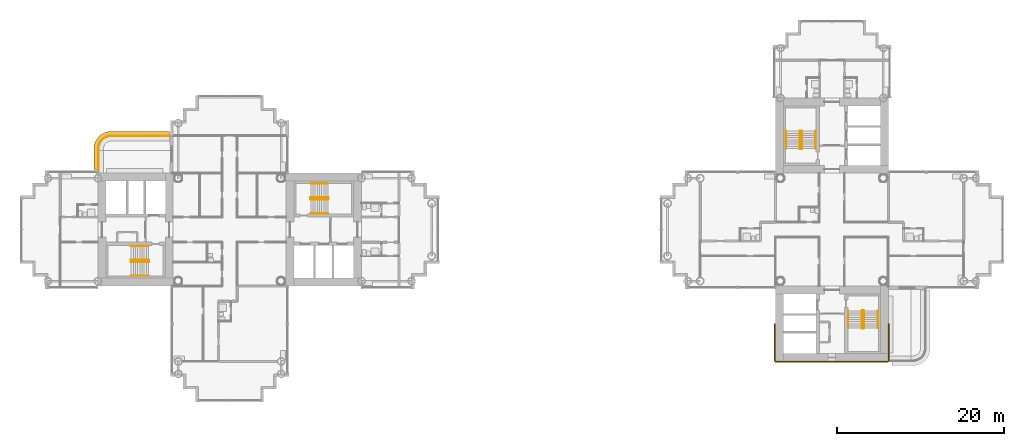
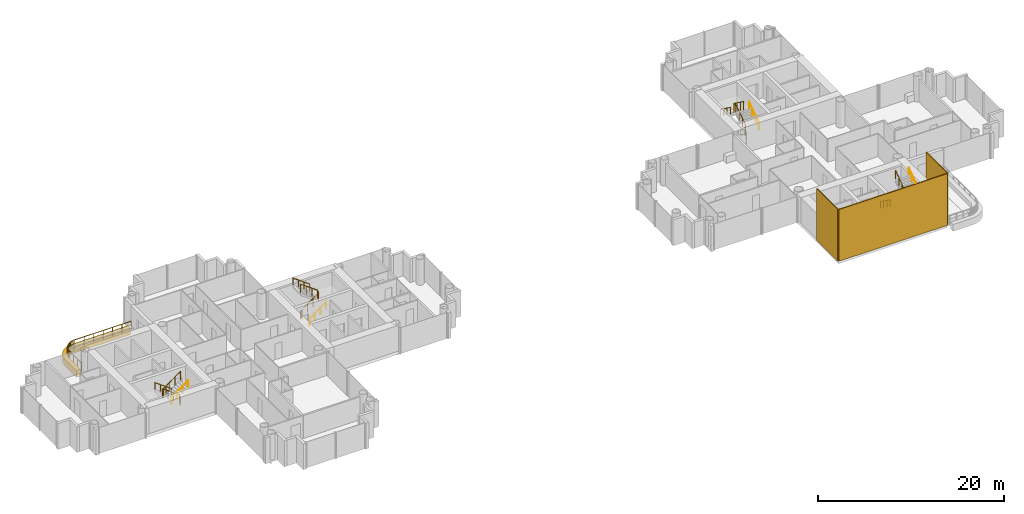
# One storey, part 19 of 21: 13 railings, 4 coverings.
"""IFC4 building model written with IfcOpenShell, lengths in metres."""

import ifcopenshell
import ifcopenshell.guid

model = None  # the IFC model being written
_history = None  # IfcOwnerHistory: only IFC2X3 demands one
_inside = {}  # id of a spatial element -> (the spatial element, [elements in it])
_under = {}  # id of a project, library or spatial element -> (it, [spatial elements below it])
_declared = {}  # id of a project -> (the project, [libraries it declares])
_typed = {}  # id of a type object -> (the type object, [elements of that type])
_made_of = {}  # id of a material, layer set ... -> (it, [elements and type objects made of it])


def new_model(schema):
    """Start an empty IFC model of exactly this schema.

    Asked for "IFC4X3", IfcOpenShell would pick the latest addendum, in which some entities
    have other attributes; the version numbers below select the first issue.
    IFC2X3 requires an IfcOwnerHistory on every rooted entity: one is made here for all.
    """
    global model, _history
    if schema == "IFC4X3":
        model = ifcopenshell.file(schema_version=(4, 3, 0, 0))
    else:
        model = ifcopenshell.file(schema=schema)
    _inside.clear()
    _under.clear()
    _declared.clear()
    _typed.clear()
    _made_of.clear()
    _history = None
    if model.schema == "IFC2X3":
        org = make("IfcOrganization", Name="unknown")
        user = make(
            "IfcPersonAndOrganization",
            ThePerson=make("IfcPerson", FamilyName="unknown"),
            TheOrganization=org,
        )
        app = make(
            "IfcApplication",
            ApplicationDeveloper=org,
            Version="unknown",
            ApplicationFullName="unknown",
            ApplicationIdentifier="unknown",
        )
        _history = make(
            "IfcOwnerHistory",
            OwningUser=user,
            OwningApplication=app,
            ChangeAction="ADDED",
            CreationDate=0,
        )
    return model


def make(cls, **values):
    """One entity of the class cls with the attributes given. An attribute that is None is left unset."""
    return model.create_entity(
        cls, **{name: value for name, value in values.items() if value is not None}
    )


def rooted(cls, **values):
    """An entity with a GlobalId (a new one), such as an element, a storey or a relation."""
    return make(cls, GlobalId=ifcopenshell.guid.new(), OwnerHistory=_history, **values)


def si_unit(unit_type, name, prefix=None):
    """IfcSIUnit, for example si_unit("LENGTHUNIT", "METRE", prefix="MILLI")."""
    return make("IfcSIUnit", UnitType=unit_type, Prefix=prefix, Name=name)


def assignment(units):
    """IfcUnitAssignment: the units of a project."""
    return None if units is None else make("IfcUnitAssignment", Units=units)


def point(xyz):
    """IfcCartesianPoint."""
    return None if xyz is None else make("IfcCartesianPoint", Coordinates=xyz)


def direction(xyz):
    """IfcDirection."""
    return None if xyz is None else make("IfcDirection", DirectionRatios=xyz)


def frame(location, z_axis=None, x_axis=None):
    """IfcAxis2Placement3D, a coordinate frame: its origin and axes. An axis left out is left unset."""
    return make(
        "IfcAxis2Placement3D",
        Location=point(location),
        Axis=direction(z_axis),
        RefDirection=direction(x_axis),
    )


def frame_2d(location, x_axis=None):
    """IfcAxis2Placement2D, a coordinate frame in the plane: its origin and x axis."""
    return make(
        "IfcAxis2Placement2D", Location=point(location), RefDirection=direction(x_axis)
    )


def origin():
    """The frame at (0, 0, 0) with its axes left unset."""
    return frame((0.0, 0.0, 0.0))


def origin_2d():
    """The frame at (0, 0) in the plane with its x axis left unset."""
    return frame_2d((0.0, 0.0))


def place(relative_to, where):
    """IfcLocalPlacement: puts the frame where relative to a parent placement (None: the world)."""
    return make(
        "IfcLocalPlacement", PlacementRelTo=relative_to, RelativePlacement=where
    )


def context(
    kind, dimensions, precision=None, world=None, true_north=None, identifier=None
):
    """IfcGeometricRepresentationContext, for example the 3D "Model" context."""
    return make(
        "IfcGeometricRepresentationContext",
        ContextIdentifier=identifier,
        ContextType=kind,
        CoordinateSpaceDimension=dimensions,
        Precision=precision,
        WorldCoordinateSystem=world,
        TrueNorth=true_north,
    )


def subcontext(parent, identifier, kind, view, scale=None):
    """IfcGeometricRepresentationSubContext, for example "Body" below "Model"."""
    return make(
        "IfcGeometricRepresentationSubContext",
        ContextIdentifier=identifier,
        ContextType=kind,
        ParentContext=parent,
        TargetScale=scale,
        TargetView=view,
    )


def project(units=None, contexts=None):
    """IfcProject with its units and contexts."""
    return rooted(
        "IfcProject",
        Name="project",
        RepresentationContexts=contexts,
        UnitsInContext=assignment(units),
    )


def spatial(cls, under=None, at=None, **own):
    """A site, building, storey or space (cls), placed at a placement, below another one or the project."""
    s = rooted(cls, ObjectPlacement=at, **own)
    if under is not None:
        _under.setdefault(under.id(), (under, []))[1].append(s)
    return s


def polyline(points):
    """IfcPolyline through the points."""
    return make("IfcPolyline", Points=[point(p) for p in points])


def profile(cls, at=None, kind="AREA", **sizes):
    """A parametric profile (cls). Its sizes go by their IFC names, for example OverallWidth=200.0."""
    return make(cls, ProfileType=kind, Position=at, **sizes)


def rectangle(**sizes):
    """IfcRectangleProfileDef."""
    return profile("IfcRectangleProfileDef", **sizes)


def circle(**sizes):
    """IfcCircleProfileDef."""
    return profile("IfcCircleProfileDef", **sizes)


def outline(outer, holes=None, kind="AREA"):
    """IfcArbitraryClosedProfileDef: a profile drawn as a closed curve; with holes, ...WithVoids."""
    if holes is None:
        return make("IfcArbitraryClosedProfileDef", ProfileType=kind, OuterCurve=outer)
    return make(
        "IfcArbitraryProfileDefWithVoids",
        ProfileType=kind,
        OuterCurve=outer,
        InnerCurves=holes,
    )


def extrude(swept, where, along, depth):
    """IfcExtrudedAreaSolid: the profile swept, set in the frame where, extruded along a direction by depth."""
    return make(
        "IfcExtrudedAreaSolid",
        SweptArea=swept,
        Position=where,
        ExtrudedDirection=direction(along),
        Depth=depth,
    )


def shape(context_of_items, identifier, shape_type, items):
    """IfcShapeRepresentation: the items that make up one representation, for example the "Body"."""
    return make(
        "IfcShapeRepresentation",
        ContextOfItems=context_of_items,
        RepresentationIdentifier=identifier,
        RepresentationType=shape_type,
        Items=items,
    )


def material(Name=None, Category=None):
    """IfcMaterial."""
    return make("IfcMaterial", Name=Name, Category=Category)


def layer(
    of_material, thickness, ventilated=None, Name=None, Category=None, Priority=None
):
    """IfcMaterialLayer: one layer of a wall or slab, of a material (None: an air gap)."""
    return make(
        "IfcMaterialLayer",
        Material=of_material,
        LayerThickness=thickness,
        IsVentilated=ventilated,
        Name=Name,
        Category=Category,
        Priority=Priority,
    )


def layer_set(layers, Name=None):
    """IfcMaterialLayerSet."""
    return make("IfcMaterialLayerSet", MaterialLayers=layers, LayerSetName=Name)


def made_of(thing, what):
    """Note that an element or type object is made of a material, layer set ...; save() writes the relation."""
    if what is not None:
        _made_of.setdefault(what.id(), (what, []))[1].append(thing)
    return thing


def type_object(cls, material=None, **own):
    """A type object (cls), such as IfcWallType, which elements share."""
    return made_of(rooted(cls, **own), material)


def element(
    cls,
    number,
    at=None,
    inside=None,
    cuts=None,
    type_object=None,
    material=None,
    context=None,
    identifier="Body",
    shape_type=None,
    held_by="IfcProductDefinitionShape",
    body=None,
    shapes=None,
    **own,
):
    """One element of the class cls, such as IfcWall. Its Tag is "e" and its number.

    at: its placement. inside: the storey or other place that contains it. cuts: it is an
    opening in that element (IfcRelVoidsElement). A single representation is given by context,
    identifier, shape_type and body (its items); several are given by shapes. held_by: the class
    of the entity that holds the representations. save() writes the other relations.
    """
    e = rooted(cls, Tag="e%d" % number, ObjectPlacement=at, **own)
    if body is not None:
        shapes = [shape(context, identifier, shape_type, body)]
    if shapes is not None:
        e.Representation = make(held_by, Representations=shapes)
    if inside is not None:
        _inside.setdefault(inside.id(), (inside, []))[1].append(e)
    if cuts is not None:
        rooted(
            "IfcRelVoidsElement", RelatingBuildingElement=cuts, RelatedOpeningElement=e
        )
    if type_object is not None:
        _typed.setdefault(type_object.id(), (type_object, []))[1].append(e)
    return made_of(e, material)


def aggregate(whole, parts):
    """IfcRelAggregates: a whole, such as a stair, and the parts it consists of."""
    return rooted("IfcRelAggregates", RelatingObject=whole, RelatedObjects=parts)


def save(model, path):
    """Write the relations noted so far, then the file.

    IfcRelAggregates (storeys below a building ...), IfcRelContainedInSpatialStructure (elements
    in a storey), IfcRelDefinesByType, IfcRelAssociatesMaterial and IfcRelDeclares: one each for
    every whole, place, type object, material and project.
    """
    for whole, parts in _under.values():
        aggregate(whole, parts)
    for where, things in _inside.values():
        rooted(
            "IfcRelContainedInSpatialStructure",
            RelatedElements=things,
            RelatingStructure=where,
        )
    for kind, things in _typed.values():
        rooted("IfcRelDefinesByType", RelatedObjects=things, RelatingType=kind)
    for what, things in _made_of.values():
        rooted("IfcRelAssociatesMaterial", RelatedObjects=things, RelatingMaterial=what)
    for by, libraries in _declared.values():
        rooted("IfcRelDeclares", RelatingContext=by, RelatedDefinitions=libraries)
    model.write(path)


model = new_model("IFC4")

# Units and contexts
model_context = context("Model", 3, precision=1e-05, world=origin(), true_north=direction((0.0, 1.0)))
body_context = subcontext(model_context, "Body", "Model", "MODEL_VIEW")
ifc_project = project(units=[si_unit("LENGTHUNIT", "METRE"), si_unit("AREAUNIT", "SQUARE_METRE"), si_unit("VOLUMEUNIT", "CUBIC_METRE"), si_unit("PLANEANGLEUNIT", "RADIAN"), si_unit("MASSUNIT", "GRAM", prefix="KILO")], contexts=[model_context])

# Site, building, storey
site_placement = place(None, origin())
site = spatial("IfcSite", under=ifc_project, at=site_placement, CompositionType="ELEMENT")
building_placement = place(site_placement, origin())
building = spatial("IfcBuilding", under=site, at=building_placement, Name="Ipe Terrace Towers", CompositionType="ELEMENT")
storey_placement = place(building_placement, frame((0.0, 0.0, 117.39990234375)))
storey = spatial("IfcBuildingStorey", under=building, at=storey_placement, Name="L32", CompositionType="ELEMENT", Elevation=117.39990234375)

# Railing
ifc_material_1 = material(Name="Stainless steel S316", Category="steel")
railing_type_1 = type_object("IfcRailingType", Name="GUARD 1100", PredefinedType="BALUSTRADE", material=ifc_material_1)
railing_1_placement = place(storey_placement, frame((-43.070068359375, 11.199951171875, -0.02001953125)))
element("IfcRailing", 1, at=railing_1_placement, inside=storey, type_object=railing_type_1, Name="guard", PredefinedType="BALUSTRADE", context=body_context, shape_type="SweptSolid", body=[
    extrude(circle(Radius=0.02392578125, at=origin_2d()), frame((0.0, 0.0, 1.076171875), z_axis=(-1.0, 0.0, 0.0), x_axis=(0.0, -1.0, 0.0)), (0.0, 0.0, 1.0), 7.077880859375),
    extrude(circle(Radius=0.02392578125, at=origin_2d()), frame((-7.077880859375, 0.0, 1.076171875), z_axis=(-0.997996439513, -0.063270109204, 0.0), x_axis=(0.063270109204, -0.997996439513, 0.0)), (0.0, 0.0, 1.0), 0.20458984375),
    extrude(circle(Radius=0.02392578125, at=origin_2d()), frame((-7.281982421875, -0.012939453125, 1.076171875), z_axis=(-0.980348670139, -0.197272615832, 0.0), x_axis=(0.197272615832, -0.980348670139, 0.0)), (0.0, 0.0, 1.0), 0.202880859375),
    extrude(circle(Radius=0.02392578125, at=origin_2d()), frame((-7.48095703125, -0.052978515625, 1.076171875), z_axis=(-0.947227229435, -0.320562904618, 0.0), x_axis=(0.320562904618, -0.947227229435, 0.0)), (0.0, 0.0, 1.0), 0.20263671875),
    extrude(circle(Radius=0.02392578125, at=origin_2d()), frame((-7.6728515625, -0.117919921875, 1.076171875), z_axis=(-0.896341374877, -0.443364567466, 0.0), x_axis=(0.443364567466, -0.896341374877, 0.0)), (0.0, 0.0, 1.0), 0.203125),
    extrude(circle(Radius=0.02392578125, at=origin_2d()), frame((-7.85498046875, -0.2080078125, 1.076171875), z_axis=(-0.833344910936, -0.552753344103, 0.0), x_axis=(0.552753344103, -0.833344910936, 0.0)), (0.0, 0.0, 1.0), 0.20263671875),
    extrude(circle(Radius=0.02392578125, at=origin_2d()), frame((-8.02392578125, -0.320068359375, 1.076171875), z_axis=(-0.750856952854, -0.660464863827, 0.0), x_axis=(0.660464863827, -0.750856952854, 0.0)), (0.0, 0.0, 1.0), 0.20263671875),
    extrude(circle(Radius=0.02392578125, at=origin_2d()), frame((-8.176025390625, -0.453857421875, 1.076171875), z_axis=(-0.660464863827, -0.750856952854, 0.0), x_axis=(0.750856952854, -0.660464863827, 0.0)), (0.0, 0.0, 1.0), 0.20263671875),
    extrude(circle(Radius=0.02392578125, at=origin_2d()), frame((-8.309814453125, -0.60595703125, 1.076171875), z_axis=(-0.552753344103, -0.833344910936, 0.0), x_axis=(0.833344910936, -0.552753344103, 0.0)), (0.0, 0.0, 1.0), 0.20263671875),
    extrude(circle(Radius=0.02392578125, at=origin_2d()), frame((-8.421875, -0.77490234375, 1.076171875), z_axis=(-0.443364567466, -0.896341374877, 0.0), x_axis=(0.896341374877, -0.443364567466, 0.0)), (0.0, 0.0, 1.0), 0.203125),
    extrude(circle(Radius=0.02392578125, at=origin_2d()), frame((-8.511962890625, -0.95703125, 1.076171875), z_axis=(-0.320562904618, -0.947227229435, 0.0), x_axis=(0.947227229435, -0.320562904618, 0.0)), (0.0, 0.0, 1.0), 0.20263671875),
    extrude(circle(Radius=0.02392578125, at=origin_2d()), frame((-8.576904296875, -1.14892578125, 1.076171875), z_axis=(-0.197272615832, -0.980348670139, 0.0), x_axis=(0.980348670139, -0.197272615832, 0.0)), (0.0, 0.0, 1.0), 0.202880859375),
    extrude(circle(Radius=0.02392578125, at=origin_2d()), frame((-8.616943359375, -1.347900390625, 1.076171875), z_axis=(-0.063270109204, -0.997996439513, 0.0), x_axis=(0.997996439513, -0.063270109204, 0.0)), (0.0, 0.0, 1.0), 0.20458984375),
    extrude(circle(Radius=0.02392578125, at=origin_2d()), frame((-8.6298828125, -1.552001953125, 1.076171875), z_axis=(0.0, -1.0, 0.0), x_axis=(1.0, 0.0, 0.0)), (0.0, 0.0, 1.0), 2.577880859375),
    extrude(circle(Radius=0.02099609375, at=origin_2d()), origin(), (0.0, 0.0, 1.0), 1.052001953125),
    extrude(circle(Radius=0.02099609375, at=origin_2d()), frame((-1.1796875, 0.0, 0.0)), (0.0, 0.0, 1.0), 1.052001953125),
    extrude(circle(Radius=0.02099609375, at=origin_2d()), frame((-2.359375, 0.0, 0.0)), (0.0, 0.0, 1.0), 1.052001953125),
    extrude(circle(Radius=0.02099609375, at=origin_2d()), frame((-3.5390625, 0.0, 0.0)), (0.0, 0.0, 1.0), 1.052001953125),
    extrude(circle(Radius=0.02099609375, at=origin_2d()), frame((-4.718505859375, 0.0, 0.0)), (0.0, 0.0, 1.0), 1.052001953125),
    extrude(circle(Radius=0.02099609375, at=origin_2d()), frame((-5.898193359375, 0.0, 0.0)), (0.0, 0.0, 1.0), 1.052001953125),
    extrude(circle(Radius=0.02099609375, at=origin_2d()), frame((-7.077880859375, 0.0, 0.0)), (0.0, 0.0, 1.0), 1.052001953125),
    extrude(circle(Radius=0.02099609375, at=origin_2d()), frame((-7.281982421875, -0.012939453125, 0.0)), (0.0, 0.0, 1.0), 1.052001953125),
    extrude(circle(Radius=0.02099609375, at=origin_2d()), frame((-7.48095703125, -0.052978515625, 0.0)), (0.0, 0.0, 1.0), 1.052001953125),
    extrude(circle(Radius=0.02099609375, at=origin_2d()), frame((-7.6728515625, -0.117919921875, 0.0)), (0.0, 0.0, 1.0), 1.052001953125),
    extrude(circle(Radius=0.02099609375, at=origin_2d()), frame((-7.85498046875, -0.2080078125, 0.0)), (0.0, 0.0, 1.0), 1.052001953125),
    extrude(circle(Radius=0.02099609375, at=origin_2d()), frame((-8.02392578125, -0.320068359375, 0.0)), (0.0, 0.0, 1.0), 1.052001953125),
    extrude(circle(Radius=0.02099609375, at=origin_2d()), frame((-8.176025390625, -0.453857421875, 0.0)), (0.0, 0.0, 1.0), 1.052001953125),
    extrude(circle(Radius=0.02099609375, at=origin_2d()), frame((-8.309814453125, -0.60595703125, 0.0)), (0.0, 0.0, 1.0), 1.052001953125),
    extrude(circle(Radius=0.02099609375, at=origin_2d()), frame((-8.421875, -0.77490234375, 0.0)), (0.0, 0.0, 1.0), 1.052001953125),
    extrude(circle(Radius=0.02099609375, at=origin_2d()), frame((-8.511962890625, -0.95703125, 0.0)), (0.0, 0.0, 1.0), 1.052001953125),
    extrude(circle(Radius=0.02099609375, at=origin_2d()), frame((-8.576904296875, -1.14892578125, 0.0)), (0.0, 0.0, 1.0), 1.052001953125),
    extrude(circle(Radius=0.02099609375, at=origin_2d()), frame((-8.616943359375, -1.347900390625, 0.0)), (0.0, 0.0, 1.0), 1.052001953125),
    extrude(circle(Radius=0.02099609375, at=origin_2d()), frame((-8.6298828125, -1.552001953125, 0.0)), (0.0, 0.0, 1.0), 1.052001953125),
    extrude(circle(Radius=0.02099609375, at=origin_2d()), frame((-8.6298828125, -2.411376953125, 0.0)), (0.0, 0.0, 1.0), 1.052001953125),
    extrude(circle(Radius=0.02099609375, at=origin_2d()), frame((-8.6298828125, -3.2705078125, 0.0)), (0.0, 0.0, 1.0), 1.052001953125),
    extrude(circle(Radius=0.02099609375, at=origin_2d()), frame((-8.6298828125, -4.1298828125, 0.0)), (0.0, 0.0, 1.0), 1.052001953125),
])

# Coverings
ifc_material_2 = material(Name="Concrete C50/60 precast, buff finish", Category="concrete")
ifc_layer_1 = layer(ifc_material_2, 0.1201171875)
ifc_layer_set_1 = layer_set([ifc_layer_1], Name="STONE CORE CLADDING 120")
covering_type_1 = type_object("IfcCoveringType", Name="STONE CORE CLADDING 120", PredefinedType="CLADDING", material=ifc_layer_set_1)
covering_1_placement = place(storey_placement, frame((36.0, -15.81005859375, 0.0), z_axis=(0.0, 0.0, 1.0), x_axis=(1.0, 0.0, 0.0)))
element("IfcCovering", 2, at=covering_1_placement, inside=storey, type_object=covering_type_1, Name="stone core cladding", PredefinedType="CLADDING", context=body_context, shape_type="SweptSolid", body=[
    extrude(rectangle(XDim=13.5, YDim=0.1201171875, at=origin_2d()), origin(), (0.0, 0.0, 1.0), 6.800048828125),
])
for number, where, z_axis, x_axis, name in (
    (3, (29.18994140625, -13.5, 0.0), (0.0, 0.0, 1.0), (0.0, -1.0, 0.0), "stone core cladding"),
    (4, (42.81005859375, -13.5, 0.0), (0.0, 0.0, 1.0), (0.0, 1.0, 0.0), "stone core cladding"),
):
    element("IfcCovering", number, at=place(storey_placement, frame(where, z_axis=z_axis, x_axis=x_axis)), inside=storey, type_object=covering_type_1, Name=name, PredefinedType="CLADDING", context=body_context, shape_type="SweptSolid", body=[
        extrude(rectangle(XDim=4.5, YDim=0.1201171875, at=origin_2d()), origin(), (0.0, 0.0, 1.0), 6.800048828125),
    ])
ifc_material_3 = material(Name="Concrete C50/60 precast, buff finish", Category="concrete")
ifc_layer_2 = layer(ifc_material_3, 0.5)
ifc_layer_set_2 = layer_set([ifc_layer_2], Name="STONE EDGE BAND 500 x 900")
covering_type_2 = type_object("IfcCoveringType", Name="STONE EDGE BAND 500 x 900", PredefinedType="CLADDING", material=ifc_layer_set_2)
covering_2_placement = place(storey_placement, frame((0.0, 0.0, -0.719970703125)))
element("IfcCovering", 5, at=covering_2_placement, inside=storey, type_object=covering_type_2, Name="stone edge band", PredefinedType="CLADDING", context=body_context, shape_type="SweptSolid", body=[
    extrude(outline(polyline([(-50.14990234375, 11.75), (-50.18310546875, 11.7490234375), (-50.39208984375, 11.735107421875), (-50.4560546875, 11.72705078125), (-50.662109375, 11.68603515625), (-50.72509765625, 11.6689453125), (-50.923095703125, 11.60205078125), (-50.98291015625, 11.576904296875), (-51.1708984375, 11.48388671875), (-51.22802734375, 11.450927734375), (-51.402099609375, 11.3349609375), (-51.4541015625, 11.294921875), (-51.611083984375, 11.156982421875), (-51.656982421875, 11.111083984375), (-51.794921875, 10.9541015625), (-51.8349609375, 10.902099609375), (-51.950927734375, 10.72802734375), (-51.98388671875, 10.6708984375), (-52.076904296875, 10.48291015625), (-52.10205078125, 10.423095703125), (-52.1689453125, 10.22509765625), (-52.18603515625, 10.162109375), (-52.22705078125, 9.9560546875), (-52.235107421875, 9.89208984375), (-52.2490234375, 9.68310546875), (-52.25, 9.64990234375), (-52.25, 7.199951171875), (-51.75, 7.199951171875), (-51.75, 9.64990234375), (-51.736083984375, 9.85888671875), (-51.695068359375, 10.06396484375), (-51.6279296875, 10.261962890625), (-51.535888671875, 10.449951171875), (-51.4189453125, 10.6240234375), (-51.281005859375, 10.781005859375), (-51.1240234375, 10.9189453125), (-50.949951171875, 11.035888671875), (-50.761962890625, 11.1279296875), (-50.56396484375, 11.195068359375), (-50.35888671875, 11.236083984375), (-50.14990234375, 11.25), (-43.199951171875, 11.25), (-43.199951171875, 11.75), (-50.14990234375, 11.75)])), origin(), (0.0, 0.0, 1.0), 0.900146484375),
])

# Railings
ifc_material_4 = material(Name="Steel S355", Category="steel")
railing_type_2 = type_object("IfcRailingType", Name="Stair guard 1100", PredefinedType="GUARDRAIL", material=ifc_material_4)
railing_2_placement = place(storey_placement, frame((-26.35009765625, 3.800048828125, 0.0)))
element("IfcRailing", 6, at=railing_2_placement, inside=storey, type_object=railing_type_2, Name="L32 T1-ST1 stair guard 1", PredefinedType="GUARDRAIL", context=body_context, shape_type="SweptSolid", body=[
    extrude(circle(Radius=0.02392578125, at=origin_2d()), frame((0.0, 0.0, 1.076171875), z_axis=(0.0, -1.0, 0.0), x_axis=(1.0, 0.0, 0.0)), (0.0, 0.0, 1.0), 0.150146484375),
    extrude(circle(Radius=0.02392578125, at=origin_2d()), frame((0.0, -0.150146484375, 1.076171875), z_axis=(0.248103849378, -0.246893586699, 0.936743314239), x_axis=(0.705375805398, 0.708833529934, 0.0)), (0.0, 0.0, 1.0), 0.20166015625),
    extrude(circle(Radius=0.02392578125, at=origin_2d()), frame((0.050048828125, -0.199951171875, 1.26513671875), z_axis=(0.809023421508, 0.0, 0.587776406001), x_axis=(0.0, 1.0, 0.0)), (0.0, 0.0, 1.0), 2.571044921875),
    extrude(circle(Radius=0.02392578125, at=origin_2d()), frame((2.130126953125, -0.199951171875, 2.7763671875), z_axis=(0.708833529934, 0.705375805398, 0.0), x_axis=(-0.705375805398, 0.708833529934, 0.0)), (0.0, 0.0, 1.0), 0.070556640625),
    extrude(circle(Radius=0.02392578125, at=origin_2d()), frame((2.18017578125, -0.150146484375, 2.7763671875), z_axis=(0.0, 1.0, 0.0), x_axis=(-1.0, 0.0, 0.0)), (0.0, 0.0, 1.0), 0.150146484375),
    extrude(circle(Radius=0.02392578125, at=origin_2d()), frame((2.18017578125, 0.0, 2.7763671875), z_axis=(-0.248310886586, 0.248310886586, 0.936313733321), x_axis=(-0.707106781187, -0.707106781187, 0.0)), (0.0, 0.0, 1.0), 0.20166015625),
    extrude(circle(Radius=0.02392578125, at=origin_2d()), frame((2.130126953125, 0.050048828125, 2.96484375), z_axis=(-0.809023421508, 0.0, 0.587776406001), x_axis=(0.0, -1.0, 0.0)), (0.0, 0.0, 1.0), 2.571044921875),
    extrude(circle(Radius=0.02099609375, at=origin_2d()), origin(), (0.0, 0.0, 1.0), 1.052001953125),
    extrude(circle(Radius=0.02099609375, at=origin_2d()), frame((0.0, -0.150146484375, 0.0)), (0.0, 0.0, 1.0), 1.052001953125),
    extrude(circle(Radius=0.02099609375, at=origin_2d()), frame((0.050048828125, -0.199951171875, 0.18896484375)), (0.0, 0.0, 1.0), 1.052001953125),
    extrude(circle(Radius=0.02099609375, at=origin_2d()), frame((0.743408203125, -0.199951171875, 0.692626953125)), (0.0, 0.0, 1.0), 1.052001953125),
    extrude(circle(Radius=0.02099609375, at=origin_2d()), frame((1.436767578125, -0.199951171875, 1.196533203125)), (0.0, 0.0, 1.0), 1.052001953125),
    extrude(circle(Radius=0.02099609375, at=origin_2d()), frame((2.130126953125, -0.199951171875, 1.7001953125)), (0.0, 0.0, 1.0), 1.052001953125),
    extrude(circle(Radius=0.02099609375, at=origin_2d()), frame((2.18017578125, -0.150146484375, 1.7001953125)), (0.0, 0.0, 1.0), 1.052001953125),
    extrude(circle(Radius=0.02099609375, at=origin_2d()), frame((2.18017578125, 0.0, 1.7001953125)), (0.0, 0.0, 1.0), 1.052001953125),
    extrude(circle(Radius=0.02099609375, at=origin_2d()), frame((2.130126953125, 0.050048828125, 1.888916015625)), (0.0, 0.0, 1.0), 1.052001953125),
    extrude(circle(Radius=0.02099609375, at=origin_2d()), frame((1.436767578125, 0.050048828125, 2.392578125)), (0.0, 0.0, 1.0), 1.052001953125),
    extrude(circle(Radius=0.02099609375, at=origin_2d()), frame((0.743408203125, 0.050048828125, 2.896484375)), (0.0, 0.0, 1.0), 1.052001953125),
    extrude(circle(Radius=0.02099609375, at=origin_2d()), frame((0.050048828125, 0.050048828125, 3.400146484375)), (0.0, 0.0, 1.0), 1.052001953125),
])
railing_3_placement = place(storey_placement, frame((-45.64990234375, -3.800048828125, 0.0)))
element("IfcRailing", 7, at=railing_3_placement, inside=storey, type_object=railing_type_2, Name="L32 T1-ST2 stair guard 1", PredefinedType="GUARDRAIL", context=body_context, shape_type="SweptSolid", body=[
    extrude(circle(Radius=0.02392578125, at=origin_2d()), frame((0.0, 0.0, 1.076171875), z_axis=(0.0, 1.0, 0.0), x_axis=(-1.0, 0.0, 0.0)), (0.0, 0.0, 1.0), 0.150146484375),
    extrude(circle(Radius=0.02392578125, at=origin_2d()), frame((0.0, 0.150146484375, 1.076171875), z_axis=(-0.248103849378, 0.246893586699, 0.936743314239), x_axis=(-0.705375805398, -0.708833529934, 0.0)), (0.0, 0.0, 1.0), 0.20166015625),
    extrude(circle(Radius=0.02392578125, at=origin_2d()), frame((-0.050048828125, 0.199951171875, 1.26513671875), z_axis=(-0.809023421508, 0.0, 0.587776406001), x_axis=(0.0, -1.0, 0.0)), (0.0, 0.0, 1.0), 2.571044921875),
    extrude(circle(Radius=0.02392578125, at=origin_2d()), frame((-2.130126953125, 0.199951171875, 2.7763671875), z_axis=(-0.708833529934, -0.705375805398, 0.0), x_axis=(0.705375805398, -0.708833529934, 0.0)), (0.0, 0.0, 1.0), 0.070556640625),
    extrude(circle(Radius=0.02392578125, at=origin_2d()), frame((-2.18017578125, 0.150146484375, 2.7763671875), z_axis=(0.0, -1.0, 0.0), x_axis=(1.0, 0.0, 0.0)), (0.0, 0.0, 1.0), 0.150146484375),
    extrude(circle(Radius=0.02392578125, at=origin_2d()), frame((-2.18017578125, 0.0, 2.7763671875), z_axis=(0.248310886586, -0.248310886586, 0.936313733321), x_axis=(0.707106781187, 0.707106781187, 0.0)), (0.0, 0.0, 1.0), 0.20166015625),
    extrude(circle(Radius=0.02392578125, at=origin_2d()), frame((-2.130126953125, -0.050048828125, 2.96484375), z_axis=(0.809023421508, 0.0, 0.587776406001), x_axis=(0.0, 1.0, 0.0)), (0.0, 0.0, 1.0), 2.571044921875),
    extrude(circle(Radius=0.02099609375, at=origin_2d()), origin(), (0.0, 0.0, 1.0), 1.052001953125),
    extrude(circle(Radius=0.02099609375, at=origin_2d()), frame((0.0, 0.150146484375, 0.0)), (0.0, 0.0, 1.0), 1.052001953125),
    extrude(circle(Radius=0.02099609375, at=origin_2d()), frame((-0.050048828125, 0.199951171875, 0.18896484375)), (0.0, 0.0, 1.0), 1.052001953125),
    extrude(circle(Radius=0.02099609375, at=origin_2d()), frame((-0.743408203125, 0.199951171875, 0.692626953125)), (0.0, 0.0, 1.0), 1.052001953125),
    extrude(circle(Radius=0.02099609375, at=origin_2d()), frame((-1.436767578125, 0.199951171875, 1.196533203125)), (0.0, 0.0, 1.0), 1.052001953125),
    extrude(circle(Radius=0.02099609375, at=origin_2d()), frame((-2.130126953125, 0.199951171875, 1.7001953125)), (0.0, 0.0, 1.0), 1.052001953125),
    extrude(circle(Radius=0.02099609375, at=origin_2d()), frame((-2.18017578125, 0.150146484375, 1.7001953125)), (0.0, 0.0, 1.0), 1.052001953125),
    extrude(circle(Radius=0.02099609375, at=origin_2d()), frame((-2.18017578125, 0.0, 1.7001953125)), (0.0, 0.0, 1.0), 1.052001953125),
    extrude(circle(Radius=0.02099609375, at=origin_2d()), frame((-2.130126953125, -0.050048828125, 1.888916015625)), (0.0, 0.0, 1.0), 1.052001953125),
    extrude(circle(Radius=0.02099609375, at=origin_2d()), frame((-1.436767578125, -0.050048828125, 2.392578125)), (0.0, 0.0, 1.0), 1.052001953125),
    extrude(circle(Radius=0.02099609375, at=origin_2d()), frame((-0.743408203125, -0.050048828125, 2.896484375)), (0.0, 0.0, 1.0), 1.052001953125),
    extrude(circle(Radius=0.02099609375, at=origin_2d()), frame((-0.050048828125, -0.050048828125, 3.400146484375)), (0.0, 0.0, 1.0), 1.052001953125),
])
railing_4_placement = place(storey_placement, frame((32.199951171875, 9.64990234375, 0.0)))
element("IfcRailing", 8, at=railing_4_placement, inside=storey, type_object=railing_type_2, Name="L32 T2-ST1 stair guard 1", PredefinedType="GUARDRAIL", context=body_context, shape_type="SweptSolid", body=[
    extrude(circle(Radius=0.02392578125, at=origin_2d()), frame((0.0, 0.0, 1.076171875), z_axis=(1.0, 0.0, 0.0), x_axis=(0.0, 1.0, 0.0)), (0.0, 0.0, 1.0), 0.150146484375),
    extrude(circle(Radius=0.02392578125, at=origin_2d()), frame((0.150146484375, 0.0, 1.076171875), z_axis=(0.246893586699, 0.248103849378, 0.936743314239), x_axis=(-0.708833529934, 0.705375805398, 0.0)), (0.0, 0.0, 1.0), 0.20166015625),
    extrude(circle(Radius=0.02392578125, at=origin_2d()), frame((0.199951171875, 0.050048828125, 1.26513671875), z_axis=(0.0, 0.809023421508, 0.587776406001), x_axis=(-1.0, 0.0, 0.0)), (0.0, 0.0, 1.0), 2.571044921875),
    extrude(circle(Radius=0.02392578125, at=origin_2d()), frame((0.199951171875, 2.130126953125, 2.7763671875), z_axis=(-0.705375805398, 0.708833529934, 0.0), x_axis=(-0.708833529934, -0.705375805398, 0.0)), (0.0, 0.0, 1.0), 0.070556640625),
    extrude(circle(Radius=0.02392578125, at=origin_2d()), frame((0.150146484375, 2.18017578125, 2.7763671875), z_axis=(-1.0, 0.0, 0.0), x_axis=(0.0, -1.0, 0.0)), (0.0, 0.0, 1.0), 0.150146484375),
    extrude(circle(Radius=0.02392578125, at=origin_2d()), frame((0.0, 2.18017578125, 2.7763671875), z_axis=(-0.248310886586, -0.248310886586, 0.936313733321), x_axis=(0.707106781187, -0.707106781187, 0.0)), (0.0, 0.0, 1.0), 0.20166015625),
    extrude(circle(Radius=0.02392578125, at=origin_2d()), frame((-0.050048828125, 2.130126953125, 2.96484375), z_axis=(0.0, -0.809023421508, 0.587776406001), x_axis=(1.0, 0.0, 0.0)), (0.0, 0.0, 1.0), 2.571044921875),
    extrude(circle(Radius=0.02099609375, at=origin_2d()), origin(), (0.0, 0.0, 1.0), 1.052001953125),
    extrude(circle(Radius=0.02099609375, at=origin_2d()), frame((0.150146484375, 0.0, 0.0)), (0.0, 0.0, 1.0), 1.052001953125),
    extrude(circle(Radius=0.02099609375, at=origin_2d()), frame((0.199951171875, 0.050048828125, 0.18896484375)), (0.0, 0.0, 1.0), 1.052001953125),
    extrude(circle(Radius=0.02099609375, at=origin_2d()), frame((0.199951171875, 0.743408203125, 0.692626953125)), (0.0, 0.0, 1.0), 1.052001953125),
    extrude(circle(Radius=0.02099609375, at=origin_2d()), frame((0.199951171875, 1.436767578125, 1.196533203125)), (0.0, 0.0, 1.0), 1.052001953125),
    extrude(circle(Radius=0.02099609375, at=origin_2d()), frame((0.199951171875, 2.130126953125, 1.7001953125)), (0.0, 0.0, 1.0), 1.052001953125),
    extrude(circle(Radius=0.02099609375, at=origin_2d()), frame((0.150146484375, 2.18017578125, 1.7001953125)), (0.0, 0.0, 1.0), 1.052001953125),
    extrude(circle(Radius=0.02099609375, at=origin_2d()), frame((0.0, 2.18017578125, 1.7001953125)), (0.0, 0.0, 1.0), 1.052001953125),
    extrude(circle(Radius=0.02099609375, at=origin_2d()), frame((-0.050048828125, 2.130126953125, 1.888916015625)), (0.0, 0.0, 1.0), 1.052001953125),
    extrude(circle(Radius=0.02099609375, at=origin_2d()), frame((-0.050048828125, 1.436767578125, 2.392578125)), (0.0, 0.0, 1.0), 1.052001953125),
    extrude(circle(Radius=0.02099609375, at=origin_2d()), frame((-0.050048828125, 0.743408203125, 2.896484375)), (0.0, 0.0, 1.0), 1.052001953125),
    extrude(circle(Radius=0.02099609375, at=origin_2d()), frame((-0.050048828125, 0.050048828125, 3.400146484375)), (0.0, 0.0, 1.0), 1.052001953125),
])
railing_5_placement = place(storey_placement, frame((39.800048828125, -9.64990234375, 0.0)))
element("IfcRailing", 9, at=railing_5_placement, inside=storey, type_object=railing_type_2, Name="L32 T2-ST2 stair guard 1", PredefinedType="GUARDRAIL", context=body_context, shape_type="SweptSolid", body=[
    extrude(circle(Radius=0.02392578125, at=origin_2d()), frame((0.0, 0.0, 1.076171875), z_axis=(-1.0, 0.0, 0.0), x_axis=(0.0, -1.0, 0.0)), (0.0, 0.0, 1.0), 0.150146484375),
    extrude(circle(Radius=0.02392578125, at=origin_2d()), frame((-0.150146484375, 0.0, 1.076171875), z_axis=(-0.246893586699, -0.248103849378, 0.936743314239), x_axis=(0.708833529934, -0.705375805398, 0.0)), (0.0, 0.0, 1.0), 0.20166015625),
    extrude(circle(Radius=0.02392578125, at=origin_2d()), frame((-0.199951171875, -0.050048828125, 1.26513671875), z_axis=(0.0, -0.809023421508, 0.587776406001), x_axis=(1.0, 0.0, 0.0)), (0.0, 0.0, 1.0), 2.571044921875),
    extrude(circle(Radius=0.02392578125, at=origin_2d()), frame((-0.199951171875, -2.130126953125, 2.7763671875), z_axis=(0.705375805398, -0.708833529934, 0.0), x_axis=(0.708833529934, 0.705375805398, 0.0)), (0.0, 0.0, 1.0), 0.070556640625),
    extrude(circle(Radius=0.02392578125, at=origin_2d()), frame((-0.150146484375, -2.18017578125, 2.7763671875), z_axis=(1.0, 0.0, 0.0), x_axis=(0.0, 1.0, 0.0)), (0.0, 0.0, 1.0), 0.150146484375),
    extrude(circle(Radius=0.02392578125, at=origin_2d()), frame((0.0, -2.18017578125, 2.7763671875), z_axis=(0.248310886586, 0.248310886586, 0.936313733321), x_axis=(-0.707106781187, 0.707106781187, 0.0)), (0.0, 0.0, 1.0), 0.20166015625),
    extrude(circle(Radius=0.02392578125, at=origin_2d()), frame((0.050048828125, -2.130126953125, 2.96484375), z_axis=(0.0, 0.809023421508, 0.587776406001), x_axis=(-1.0, 0.0, 0.0)), (0.0, 0.0, 1.0), 2.571044921875),
    extrude(circle(Radius=0.02099609375, at=origin_2d()), origin(), (0.0, 0.0, 1.0), 1.052001953125),
    extrude(circle(Radius=0.02099609375, at=origin_2d()), frame((-0.150146484375, 0.0, 0.0)), (0.0, 0.0, 1.0), 1.052001953125),
    extrude(circle(Radius=0.02099609375, at=origin_2d()), frame((-0.199951171875, -0.050048828125, 0.18896484375)), (0.0, 0.0, 1.0), 1.052001953125),
    extrude(circle(Radius=0.02099609375, at=origin_2d()), frame((-0.199951171875, -0.743408203125, 0.692626953125)), (0.0, 0.0, 1.0), 1.052001953125),
    extrude(circle(Radius=0.02099609375, at=origin_2d()), frame((-0.199951171875, -1.436767578125, 1.196533203125)), (0.0, 0.0, 1.0), 1.052001953125),
    extrude(circle(Radius=0.02099609375, at=origin_2d()), frame((-0.199951171875, -2.130126953125, 1.7001953125)), (0.0, 0.0, 1.0), 1.052001953125),
    extrude(circle(Radius=0.02099609375, at=origin_2d()), frame((-0.150146484375, -2.18017578125, 1.7001953125)), (0.0, 0.0, 1.0), 1.052001953125),
    extrude(circle(Radius=0.02099609375, at=origin_2d()), frame((0.0, -2.18017578125, 1.7001953125)), (0.0, 0.0, 1.0), 1.052001953125),
    extrude(circle(Radius=0.02099609375, at=origin_2d()), frame((0.050048828125, -2.130126953125, 1.888916015625)), (0.0, 0.0, 1.0), 1.052001953125),
    extrude(circle(Radius=0.02099609375, at=origin_2d()), frame((0.050048828125, -1.436767578125, 2.392578125)), (0.0, 0.0, 1.0), 1.052001953125),
    extrude(circle(Radius=0.02099609375, at=origin_2d()), frame((0.050048828125, -0.743408203125, 2.896484375)), (0.0, 0.0, 1.0), 1.052001953125),
    extrude(circle(Radius=0.02099609375, at=origin_2d()), frame((0.050048828125, -0.050048828125, 3.400146484375)), (0.0, 0.0, 1.0), 1.052001953125),
])
ifc_material_5 = material(Name="Stainless steel grade 304", Category="steel")
railing_type_3 = type_object("IfcRailingType", Name="Stair handrail 900", PredefinedType="HANDRAIL", material=ifc_material_5)
railing_6_placement = place(storey_placement, frame((-26.300048828125, 1.949951171875, 0.18896484375)))
element("IfcRailing", 10, at=railing_6_placement, inside=storey, type_object=railing_type_3, Name="L32 T1-ST1 stair handrail 1", PredefinedType="HANDRAIL", context=body_context, shape_type="SweptSolid", body=[
    extrude(circle(Radius=0.02392578125, at=origin_2d()), frame((0.0, 0.0, 0.8759765625), z_axis=(0.809023421508, 0.0, 0.587776406001), x_axis=(0.0, 1.0, 0.0)), (0.0, 0.0, 1.0), 2.571044921875),
    extrude(circle(Radius=0.02099609375, at=origin_2d()), origin(), (0.0, 0.0, 1.0), 0.851806640625),
    extrude(circle(Radius=0.02099609375, at=origin_2d()), frame((0.693359375, 0.0, 0.503662109375)), (0.0, 0.0, 1.0), 0.851806640625),
    extrude(circle(Radius=0.02099609375, at=origin_2d()), frame((1.38671875, 0.0, 1.007568359375)), (0.0, 0.0, 1.0), 0.851806640625),
    extrude(circle(Radius=0.02099609375, at=origin_2d()), frame((2.080078125, 0.0, 1.51123046875)), (0.0, 0.0, 1.0), 0.851806640625),
])
for number, where, name in (
    (11, (-24.219970703125, 5.5, 1.888916015625), "L32 T1-ST1 stair handrail 2"),
    (12, (-45.699951171875, -1.949951171875, 0.18896484375), "L32 T1-ST2 stair handrail 1"),
):
    element("IfcRailing", number, at=place(storey_placement, frame(where)), inside=storey, type_object=railing_type_3, Name=name, PredefinedType="HANDRAIL", context=body_context, shape_type="SweptSolid", body=[
        extrude(circle(Radius=0.02392578125, at=origin_2d()), frame((0.0, 0.0, 0.8759765625), z_axis=(-0.809023421508, 0.0, 0.587776406001), x_axis=(0.0, -1.0, 0.0)), (0.0, 0.0, 1.0), 2.571044921875),
        extrude(circle(Radius=0.02099609375, at=origin_2d()), origin(), (0.0, 0.0, 1.0), 0.851806640625),
        extrude(circle(Radius=0.02099609375, at=origin_2d()), frame((-0.693359375, 0.0, 0.503662109375)), (0.0, 0.0, 1.0), 0.851806640625),
        extrude(circle(Radius=0.02099609375, at=origin_2d()), frame((-1.38671875, 0.0, 1.007568359375)), (0.0, 0.0, 1.0), 0.851806640625),
        extrude(circle(Radius=0.02099609375, at=origin_2d()), frame((-2.080078125, 0.0, 1.51123046875)), (0.0, 0.0, 1.0), 0.851806640625),
    ])
railing_7_placement = place(storey_placement, frame((-47.780029296875, -5.5, 1.888916015625)))
element("IfcRailing", 13, at=railing_7_placement, inside=storey, type_object=railing_type_3, Name="L32 T1-ST2 stair handrail 2", PredefinedType="HANDRAIL", context=body_context, shape_type="SweptSolid", body=[
    extrude(circle(Radius=0.02392578125, at=origin_2d()), frame((0.0, 0.0, 0.8759765625), z_axis=(0.809023421508, 0.0, 0.587776406001), x_axis=(0.0, 1.0, 0.0)), (0.0, 0.0, 1.0), 2.571044921875),
    extrude(circle(Radius=0.02099609375, at=origin_2d()), origin(), (0.0, 0.0, 1.0), 0.851806640625),
    extrude(circle(Radius=0.02099609375, at=origin_2d()), frame((0.693359375, 0.0, 0.503662109375)), (0.0, 0.0, 1.0), 0.851806640625),
    extrude(circle(Radius=0.02099609375, at=origin_2d()), frame((1.38671875, 0.0, 1.007568359375)), (0.0, 0.0, 1.0), 0.851806640625),
    extrude(circle(Radius=0.02099609375, at=origin_2d()), frame((2.080078125, 0.0, 1.51123046875)), (0.0, 0.0, 1.0), 0.851806640625),
])
railing_8_placement = place(storey_placement, frame((34.050048828125, 9.699951171875, 0.18896484375)))
element("IfcRailing", 14, at=railing_8_placement, inside=storey, type_object=railing_type_3, Name="L32 T2-ST1 stair handrail 1", PredefinedType="HANDRAIL", context=body_context, shape_type="SweptSolid", body=[
    extrude(circle(Radius=0.02392578125, at=origin_2d()), frame((0.0, 0.0, 0.8759765625), z_axis=(0.0, 0.809023421508, 0.587776406001), x_axis=(-1.0, 0.0, 0.0)), (0.0, 0.0, 1.0), 2.571044921875),
    extrude(circle(Radius=0.02099609375, at=origin_2d()), origin(), (0.0, 0.0, 1.0), 0.851806640625),
    extrude(circle(Radius=0.02099609375, at=origin_2d()), frame((0.0, 0.693359375, 0.503662109375)), (0.0, 0.0, 1.0), 0.851806640625),
    extrude(circle(Radius=0.02099609375, at=origin_2d()), frame((0.0, 1.38671875, 1.007568359375)), (0.0, 0.0, 1.0), 0.851806640625),
    extrude(circle(Radius=0.02099609375, at=origin_2d()), frame((0.0, 2.080078125, 1.51123046875)), (0.0, 0.0, 1.0), 0.851806640625),
])
for number, where, name in (
    (15, (30.5, 11.780029296875, 1.888916015625), "L32 T2-ST1 stair handrail 2"),
    (16, (37.949951171875, -9.699951171875, 0.18896484375), "L32 T2-ST2 stair handrail 1"),
):
    element("IfcRailing", number, at=place(storey_placement, frame(where)), inside=storey, type_object=railing_type_3, Name=name, PredefinedType="HANDRAIL", context=body_context, shape_type="SweptSolid", body=[
        extrude(circle(Radius=0.02392578125, at=origin_2d()), frame((0.0, 0.0, 0.8759765625), z_axis=(0.0, -0.809023421508, 0.587776406001), x_axis=(1.0, 0.0, 0.0)), (0.0, 0.0, 1.0), 2.571044921875),
        extrude(circle(Radius=0.02099609375, at=origin_2d()), origin(), (0.0, 0.0, 1.0), 0.851806640625),
        extrude(circle(Radius=0.02099609375, at=origin_2d()), frame((0.0, -0.693359375, 0.503662109375)), (0.0, 0.0, 1.0), 0.851806640625),
        extrude(circle(Radius=0.02099609375, at=origin_2d()), frame((0.0, -1.38671875, 1.007568359375)), (0.0, 0.0, 1.0), 0.851806640625),
        extrude(circle(Radius=0.02099609375, at=origin_2d()), frame((0.0, -2.080078125, 1.51123046875)), (0.0, 0.0, 1.0), 0.851806640625),
    ])
railing_9_placement = place(storey_placement, frame((41.5, -11.780029296875, 1.888916015625)))
element("IfcRailing", 17, at=railing_9_placement, inside=storey, type_object=railing_type_3, Name="L32 T2-ST2 stair handrail 2", PredefinedType="HANDRAIL", context=body_context, shape_type="SweptSolid", body=[
    extrude(circle(Radius=0.02392578125, at=origin_2d()), frame((0.0, 0.0, 0.8759765625), z_axis=(0.0, 0.809023421508, 0.587776406001), x_axis=(-1.0, 0.0, 0.0)), (0.0, 0.0, 1.0), 2.571044921875),
    extrude(circle(Radius=0.02099609375, at=origin_2d()), origin(), (0.0, 0.0, 1.0), 0.851806640625),
    extrude(circle(Radius=0.02099609375, at=origin_2d()), frame((0.0, 0.693359375, 0.503662109375)), (0.0, 0.0, 1.0), 0.851806640625),
    extrude(circle(Radius=0.02099609375, at=origin_2d()), frame((0.0, 1.38671875, 1.007568359375)), (0.0, 0.0, 1.0), 0.851806640625),
    extrude(circle(Radius=0.02099609375, at=origin_2d()), frame((0.0, 2.080078125, 1.51123046875)), (0.0, 0.0, 1.0), 0.851806640625),
])

save(model, "model.ifc")
